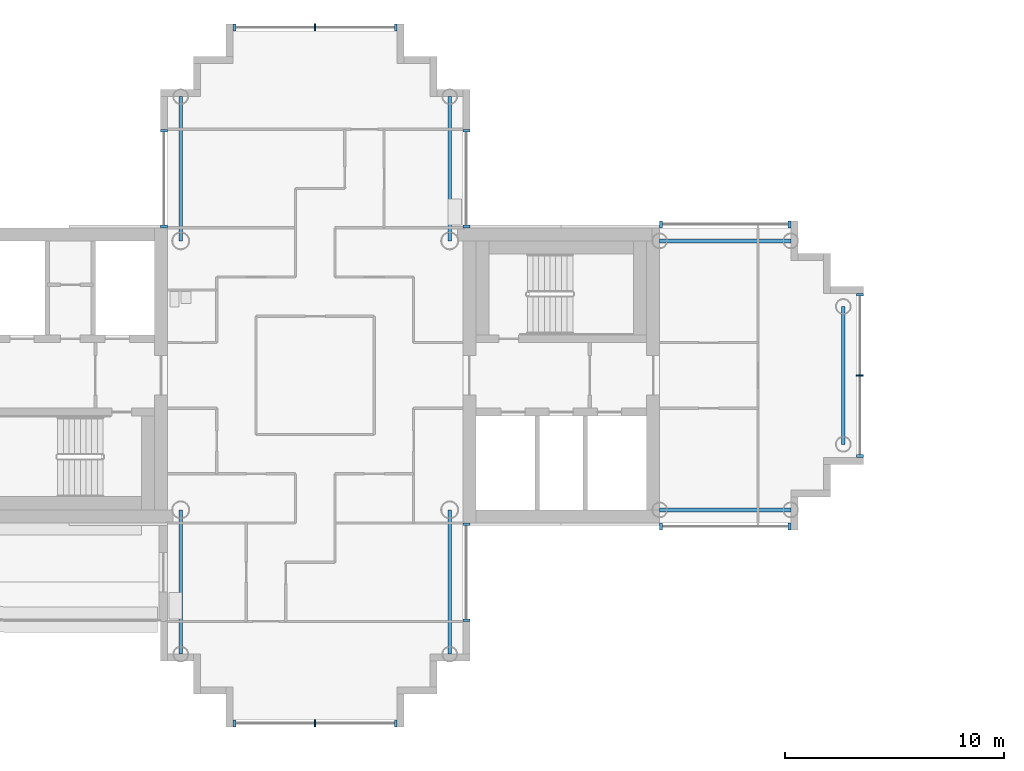
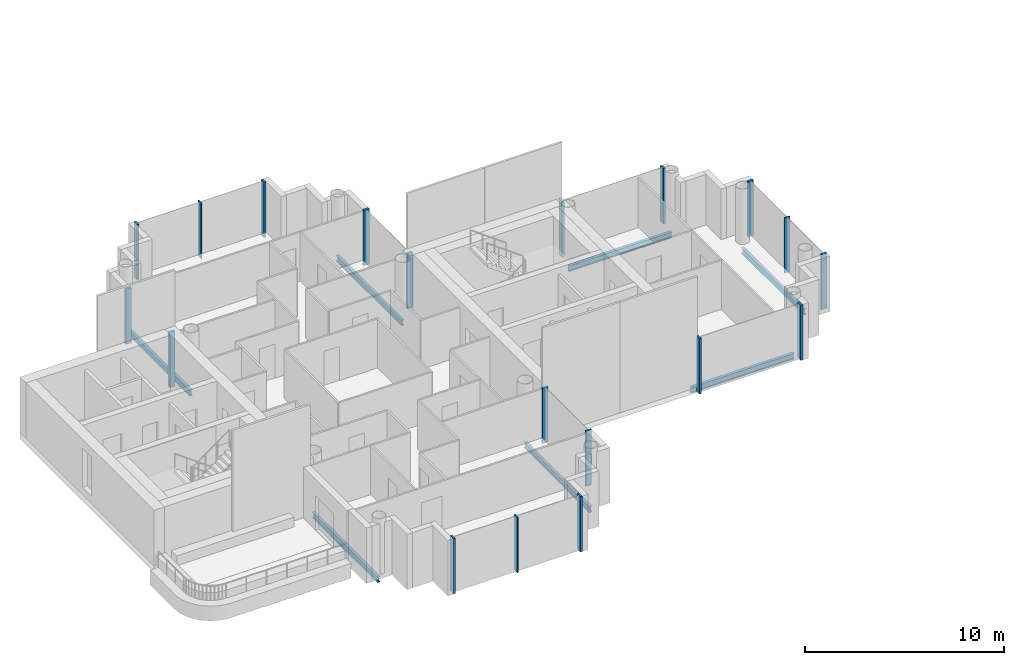
# One storey, part 3 of 18: 19 members, 7 beams, 8 elements without a shape of their own.
"""IFC4 building model written with IfcOpenShell, lengths in metres."""

from ifc_helpers import new_model, si_unit, direction, frame, origin, origin_2d, place, context, subcontext, project, spatial, rectangle, i_section, extrude, material, layer, layer_set, material_profile, profile_set, type_object, element, aggregate, save


model = new_model("IFC4")

# Units and contexts
model_context = context("Model", 3, precision=1e-05, world=origin(), true_north=direction((0.0, 1.0)))
body_context = subcontext(model_context, "Body", "Model", "MODEL_VIEW")
ifc_project = project(units=[si_unit("LENGTHUNIT", "METRE"), si_unit("AREAUNIT", "SQUARE_METRE"), si_unit("VOLUMEUNIT", "CUBIC_METRE"), si_unit("PLANEANGLEUNIT", "RADIAN"), si_unit("MASSUNIT", "GRAM", prefix="KILO")], contexts=[model_context])

# Site, building, storey
site_placement = place(None, origin())
site = spatial("IfcSite", under=ifc_project, at=site_placement, CompositionType="ELEMENT")
building_placement = place(site_placement, origin())
building = spatial("IfcBuilding", under=site, at=building_placement, Name="Ipe Terrace Towers", CompositionType="ELEMENT")
storey_placement = place(building_placement, frame((0.0, 0.0, 219.800048828125)))
storey = spatial("IfcBuildingStorey", under=building, at=storey_placement, Name="L61", CompositionType="ELEMENT", Elevation=219.800048828125)

# Beams
ifc_material_1 = material(Name="Steel S355", Category="steel")
ifc_material_profile_1 = material_profile(ifc_material_1, i_section(OverallWidth=0.175048828125, OverallDepth=0.35009765625, WebThickness=0.007080078125, FlangeThickness=0.010986328125, at=origin_2d()), Name="H-350x175x7x11")
ifc_profile_set_1 = profile_set([ifc_material_profile_1], Name="Steel S355")
beam_type = type_object("IfcBeamType", Name="H04 EDGE BEAM H-350x175x7x11", PredefinedType="BEAM", material=ifc_profile_set_1)
for number, where, z_axis, x_axis, name in (
    (1, (-20.25, -6.14990234375, -0.574951171875), (1.0, 0.0, 0.0), (0.0, 1.0, 0.0), "Edge beam T1-EB-A01-A03"),
    (2, (-20.25, 6.14990234375, -0.574951171875), (1.0, 0.0, 0.0), (0.0, 1.0, 0.0), "Edge beam T1-EB-A02-A04"),
):
    element("IfcBeam", number, at=place(storey_placement, frame(where, z_axis=z_axis, x_axis=x_axis)), inside=storey, type_object=beam_type, Name=name, PredefinedType="BEAM", context=body_context, shape_type="SweptSolid", body=[
        extrude(i_section(OverallWidth=0.175048828125, OverallDepth=0.35009765625, WebThickness=0.007080078125, FlangeThickness=0.010986328125, at=origin_2d()), origin(), (0.0, 0.0, 1.0), 6.0),
    ])
beam_placement = place(storey_placement, frame((-11.85009765625, -3.14990234375, -0.574951171875), z_axis=(0.0, 1.0, 0.0), x_axis=(-1.0, 0.0, 0.0)))
element("IfcBeam", 3, at=beam_placement, inside=storey, type_object=beam_type, Name="Edge beam T1-EB-A05-A06", PredefinedType="BEAM", context=body_context, shape_type="SweptSolid", body=[
    extrude(i_section(OverallWidth=0.175048828125, OverallDepth=0.35009765625, WebThickness=0.007080078125, FlangeThickness=0.010986328125, at=origin_2d()), origin(), (0.0, 0.0, 1.0), 6.2998046875),
])
for number, where, z_axis, x_axis, name in (
    (4, (-29.85009765625, 12.75, -0.574951171875), (0.0, -1.0, 0.0), (1.0, 0.0, 0.0), "Edge beam T1-EB-B01-E03"),
    (5, (-42.14990234375, 12.75, -0.574951171875), (0.0, -1.0, 0.0), (1.0, 0.0, 0.0), "Edge beam T1-EB-B02-E04"),
    (6, (-42.14990234375, -12.75, -0.574951171875), (0.0, 1.0, 0.0), (-1.0, 0.0, 0.0), "Edge beam T1-EB-D01-E01"),
    (7, (-29.85009765625, -12.75, -0.574951171875), (0.0, 1.0, 0.0), (-1.0, 0.0, 0.0), "Edge beam T1-EB-D02-E02"),
):
    element("IfcBeam", number, at=place(storey_placement, frame(where, z_axis=z_axis, x_axis=x_axis)), inside=storey, type_object=beam_type, Name=name, PredefinedType="BEAM", context=body_context, shape_type="SweptSolid", body=[
        extrude(i_section(OverallWidth=0.175048828125, OverallDepth=0.35009765625, WebThickness=0.007080078125, FlangeThickness=0.010986328125, at=origin_2d()), origin(), (0.0, 0.0, 1.0), 6.60009765625),
    ])

# Curtain wall, members
ifc_material_2 = material(Name="Aluminium alloy 6063-T6", Category="aluminium")
ifc_layer = layer(ifc_material_2, 0.320068359375)
ifc_layer_set = layer_set([ifc_layer], Name="TOWER UNITISED CURTAIN WALL")
curtain_wall_type = type_object("IfcCurtainWallType", Name="TOWER UNITISED CURTAIN WALL", PredefinedType="NOTDEFINED", material=ifc_layer_set)
curtain_wall_1_placement = place(storey_placement, origin())
curtain_wall_1 = element("IfcCurtainWall", 8, at=curtain_wall_1_placement, inside=storey, type_object=curtain_wall_type, Name="T1-CW-L61-08a curtain wall", PredefinedType="NOTDEFINED")
ifc_material_3 = material(Name="Aluminium alloy 6063-T6", Category="aluminium")
ifc_material_profile_2 = material_profile(ifc_material_3, rectangle(XDim=0.320068359375, YDim=0.1201171875, at=origin_2d()), Name="TOWER UNITISED CORNER MULLION 320 x 120")
ifc_profile_set_2 = profile_set([ifc_material_profile_2], Name="Aluminium alloy 6063-T6")
member_type_1 = type_object("IfcMemberType", Name="TOWER UNITISED CORNER MULLION 320 x 120", PredefinedType="MULLION", material=ifc_profile_set_2)
member_1_placement = place(storey_placement, frame((-39.68994140625, -15.909912109375, -0.300048828125), z_axis=(0.0, 0.0, 1.0), x_axis=(0.0, -1.0, 0.0)))
member_1 = element("IfcMember", 9, at=member_1_placement, type_object=member_type_1, Name="T1-CW-L61-08a mullion 1", PredefinedType="MULLION", context=body_context, shape_type="SweptSolid", body=[
    extrude(rectangle(XDim=0.320068359375, YDim=0.1201171875, at=origin_2d()), origin(), (0.0, 0.0, 1.0), 3.39990234375),
])
member_2_placement = place(storey_placement, frame((-32.31005859375, -15.909912109375, -0.300048828125), z_axis=(0.0, 0.0, 1.0), x_axis=(0.0, -1.0, 0.0)))
member_2 = element("IfcMember", 10, at=member_2_placement, type_object=member_type_1, Name="T1-CW-L61-08a mullion 3", PredefinedType="MULLION", context=body_context, shape_type="SweptSolid", body=[
    extrude(rectangle(XDim=0.320068359375, YDim=0.1201171875, at=origin_2d()), origin(), (0.0, 0.0, 1.0), 3.39990234375),
])

curtain_wall_2_placement = place(storey_placement, origin())
curtain_wall_2 = element("IfcCurtainWall", 11, at=curtain_wall_2_placement, inside=storey, type_object=curtain_wall_type, Name="T1-CW-L61-14a curtain wall", PredefinedType="NOTDEFINED")
member_3_placement = place(storey_placement, frame((-29.090087890625, -11.18994140625, -0.300048828125), z_axis=(0.0, 0.0, 1.0), x_axis=(1.0, 0.0, 0.0)))
member_3 = element("IfcMember", 12, at=member_3_placement, type_object=member_type_1, Name="T1-CW-L61-14a mullion 1", PredefinedType="MULLION", context=body_context, shape_type="SweptSolid", body=[
    extrude(rectangle(XDim=0.320068359375, YDim=0.1201171875, at=origin_2d()), origin(), (0.0, 0.0, 1.0), 3.39990234375),
])
member_4_placement = place(storey_placement, frame((-29.090087890625, -6.81005859375, -0.300048828125), z_axis=(0.0, 0.0, 1.0), x_axis=(1.0, 0.0, 0.0)))
member_4 = element("IfcMember", 13, at=member_4_placement, type_object=member_type_1, Name="T1-CW-L61-14a mullion 2", PredefinedType="MULLION", context=body_context, shape_type="SweptSolid", body=[
    extrude(rectangle(XDim=0.320068359375, YDim=0.1201171875, at=origin_2d()), origin(), (0.0, 0.0, 1.0), 3.39990234375),
])
aggregate(curtain_wall_2, [member_3, member_4])

curtain_wall_3_placement = place(storey_placement, origin())
curtain_wall_3 = element("IfcCurtainWall", 14, at=curtain_wall_3_placement, inside=storey, type_object=curtain_wall_type, Name="T1-CW-L61-16b curtain wall", PredefinedType="NOTDEFINED")
member_5_placement = place(storey_placement, frame((-20.18896484375, -6.909912109375, -0.300048828125), z_axis=(0.0, 0.0, 1.0), x_axis=(0.0, -1.0, 0.0)))
member_5 = element("IfcMember", 15, at=member_5_placement, type_object=member_type_1, Name="T1-CW-L61-16b mullion 1", PredefinedType="MULLION", context=body_context, shape_type="SweptSolid", body=[
    extrude(rectangle(XDim=0.320068359375, YDim=0.1201171875, at=origin_2d()), origin(), (0.0, 0.0, 1.0), 3.39990234375),
])
member_6_placement = place(storey_placement, frame((-14.31005859375, -6.909912109375, -0.300048828125), z_axis=(0.0, 0.0, 1.0), x_axis=(0.0, -1.0, 0.0)))
member_6 = element("IfcMember", 16, at=member_6_placement, type_object=member_type_1, Name="T1-CW-L61-16b mullion 2", PredefinedType="MULLION", context=body_context, shape_type="SweptSolid", body=[
    extrude(rectangle(XDim=0.320068359375, YDim=0.1201171875, at=origin_2d()), origin(), (0.0, 0.0, 1.0), 3.39990234375),
])
aggregate(curtain_wall_3, [member_5, member_6])

curtain_wall_4_placement = place(storey_placement, origin())
curtain_wall_4 = element("IfcCurtainWall", 17, at=curtain_wall_4_placement, inside=storey, type_object=curtain_wall_type, Name="T1-CW-L61-21a curtain wall", PredefinedType="NOTDEFINED")
member_7_placement = place(storey_placement, frame((-11.090087890625, -3.68994140625, -0.300048828125), z_axis=(0.0, 0.0, 1.0), x_axis=(1.0, 0.0, 0.0)))
member_7 = element("IfcMember", 18, at=member_7_placement, type_object=member_type_1, Name="T1-CW-L61-21a mullion 1", PredefinedType="MULLION", context=body_context, shape_type="SweptSolid", body=[
    extrude(rectangle(XDim=0.320068359375, YDim=0.1201171875, at=origin_2d()), origin(), (0.0, 0.0, 1.0), 3.39990234375),
])
member_8_placement = place(storey_placement, frame((-11.090087890625, 3.68994140625, -0.300048828125), z_axis=(0.0, 0.0, 1.0), x_axis=(1.0, 0.0, 0.0)))
member_8 = element("IfcMember", 19, at=member_8_placement, type_object=member_type_1, Name="T1-CW-L61-21a mullion 3", PredefinedType="MULLION", context=body_context, shape_type="SweptSolid", body=[
    extrude(rectangle(XDim=0.320068359375, YDim=0.1201171875, at=origin_2d()), origin(), (0.0, 0.0, 1.0), 3.39990234375),
])

curtain_wall_5_placement = place(storey_placement, origin())
curtain_wall_5 = element("IfcCurtainWall", 20, at=curtain_wall_5_placement, inside=storey, type_object=curtain_wall_type, Name="T1-CW-L61-26a curtain wall", PredefinedType="NOTDEFINED")
member_9_placement = place(storey_placement, frame((-14.31005859375, 6.909912109375, -0.300048828125), z_axis=(0.0, 0.0, 1.0), x_axis=(0.0, 1.0, 0.0)))
member_9 = element("IfcMember", 21, at=member_9_placement, type_object=member_type_1, Name="T1-CW-L61-26a mullion 1", PredefinedType="MULLION", context=body_context, shape_type="SweptSolid", body=[
    extrude(rectangle(XDim=0.320068359375, YDim=0.1201171875, at=origin_2d()), origin(), (0.0, 0.0, 1.0), 3.39990234375),
])
member_10_placement = place(storey_placement, frame((-20.18896484375, 6.909912109375, -0.300048828125), z_axis=(0.0, 0.0, 1.0), x_axis=(0.0, 1.0, 0.0)))
member_10 = element("IfcMember", 22, at=member_10_placement, type_object=member_type_1, Name="T1-CW-L61-26a mullion 2", PredefinedType="MULLION", context=body_context, shape_type="SweptSolid", body=[
    extrude(rectangle(XDim=0.320068359375, YDim=0.1201171875, at=origin_2d()), origin(), (0.0, 0.0, 1.0), 3.39990234375),
])
aggregate(curtain_wall_5, [member_9, member_10])

curtain_wall_6_placement = place(storey_placement, origin())
curtain_wall_6 = element("IfcCurtainWall", 23, at=curtain_wall_6_placement, inside=storey, type_object=curtain_wall_type, Name="T1-CW-L61-28a curtain wall", PredefinedType="NOTDEFINED")
member_11_placement = place(storey_placement, frame((-29.090087890625, 6.81005859375, -0.300048828125), z_axis=(0.0, 0.0, 1.0), x_axis=(1.0, 0.0, 0.0)))
member_11 = element("IfcMember", 24, at=member_11_placement, type_object=member_type_1, Name="T1-CW-L61-28a mullion 1", PredefinedType="MULLION", context=body_context, shape_type="SweptSolid", body=[
    extrude(rectangle(XDim=0.320068359375, YDim=0.1201171875, at=origin_2d()), origin(), (0.0, 0.0, 1.0), 3.39990234375),
])
member_12_placement = place(storey_placement, frame((-29.090087890625, 11.18994140625, -0.300048828125), z_axis=(0.0, 0.0, 1.0), x_axis=(1.0, 0.0, 0.0)))
member_12 = element("IfcMember", 25, at=member_12_placement, type_object=member_type_1, Name="T1-CW-L61-28a mullion 2", PredefinedType="MULLION", context=body_context, shape_type="SweptSolid", body=[
    extrude(rectangle(XDim=0.320068359375, YDim=0.1201171875, at=origin_2d()), origin(), (0.0, 0.0, 1.0), 3.39990234375),
])
aggregate(curtain_wall_6, [member_11, member_12])

curtain_wall_7_placement = place(storey_placement, origin())
curtain_wall_7 = element("IfcCurtainWall", 26, at=curtain_wall_7_placement, inside=storey, type_object=curtain_wall_type, Name="T1-CW-L61-34a curtain wall", PredefinedType="NOTDEFINED")
member_13_placement = place(storey_placement, frame((-32.31005859375, 15.909912109375, -0.300048828125), z_axis=(0.0, 0.0, 1.0), x_axis=(0.0, 1.0, 0.0)))
member_13 = element("IfcMember", 27, at=member_13_placement, type_object=member_type_1, Name="T1-CW-L61-34a mullion 1", PredefinedType="MULLION", context=body_context, shape_type="SweptSolid", body=[
    extrude(rectangle(XDim=0.320068359375, YDim=0.1201171875, at=origin_2d()), origin(), (0.0, 0.0, 1.0), 3.39990234375),
])
member_14_placement = place(storey_placement, frame((-39.68994140625, 15.909912109375, -0.300048828125), z_axis=(0.0, 0.0, 1.0), x_axis=(0.0, 1.0, 0.0)))
member_14 = element("IfcMember", 28, at=member_14_placement, type_object=member_type_1, Name="T1-CW-L61-34a mullion 3", PredefinedType="MULLION", context=body_context, shape_type="SweptSolid", body=[
    extrude(rectangle(XDim=0.320068359375, YDim=0.1201171875, at=origin_2d()), origin(), (0.0, 0.0, 1.0), 3.39990234375),
])

curtain_wall_8_placement = place(storey_placement, origin())
curtain_wall_8 = element("IfcCurtainWall", 29, at=curtain_wall_8_placement, inside=storey, type_object=curtain_wall_type, Name="T1-CW-L61-40a curtain wall", PredefinedType="NOTDEFINED")
member_15_placement = place(storey_placement, frame((-42.909912109375, 11.18994140625, -0.300048828125), z_axis=(0.0, 0.0, 1.0), x_axis=(-1.0, 0.0, 0.0)))
member_15 = element("IfcMember", 30, at=member_15_placement, type_object=member_type_1, Name="T1-CW-L61-40a mullion 1", PredefinedType="MULLION", context=body_context, shape_type="SweptSolid", body=[
    extrude(rectangle(XDim=0.320068359375, YDim=0.1201171875, at=origin_2d()), origin(), (0.0, 0.0, 1.0), 3.39990234375),
])
member_16_placement = place(storey_placement, frame((-42.909912109375, 6.81005859375, -0.300048828125), z_axis=(0.0, 0.0, 1.0), x_axis=(-1.0, 0.0, 0.0)))
member_16 = element("IfcMember", 31, at=member_16_placement, type_object=member_type_1, Name="T1-CW-L61-40a mullion 2", PredefinedType="MULLION", context=body_context, shape_type="SweptSolid", body=[
    extrude(rectangle(XDim=0.320068359375, YDim=0.1201171875, at=origin_2d()), origin(), (0.0, 0.0, 1.0), 3.39990234375),
])
aggregate(curtain_wall_8, [member_15, member_16])

# Member
ifc_material_4 = material(Name="Aluminium alloy 6063-T6", Category="aluminium")
ifc_material_profile_3 = material_profile(ifc_material_4, rectangle(XDim=0.320068359375, YDim=0.06494140625, at=origin_2d()), Name="TOWER UNITISED MULLION 320 x 65")
ifc_profile_set_3 = profile_set([ifc_material_profile_3], Name="Aluminium alloy 6063-T6")
member_type_2 = type_object("IfcMemberType", Name="TOWER UNITISED MULLION 320 x 65", PredefinedType="MULLION", material=ifc_profile_set_3)
member_17_placement = place(storey_placement, frame((-36.0, -15.909912109375, -0.300048828125), z_axis=(0.0, 0.0, 1.0), x_axis=(0.0, -1.0, 0.0)))
member_17 = element("IfcMember", 32, at=member_17_placement, type_object=member_type_2, Name="T1-CW-L61-08a mullion 2", PredefinedType="MULLION", context=body_context, shape_type="SweptSolid", body=[
    extrude(rectangle(XDim=0.320068359375, YDim=0.06494140625, at=origin_2d()), origin(), (0.0, 0.0, 1.0), 3.39990234375),
])

aggregate(curtain_wall_1, [member_1, member_17, member_2])

member_18_placement = place(storey_placement, frame((-11.090087890625, 0.0, -0.300048828125), z_axis=(0.0, 0.0, 1.0), x_axis=(1.0, 0.0, 0.0)))
member_18 = element("IfcMember", 33, at=member_18_placement, type_object=member_type_2, Name="T1-CW-L61-21a mullion 2", PredefinedType="MULLION", context=body_context, shape_type="SweptSolid", body=[
    extrude(rectangle(XDim=0.320068359375, YDim=0.06494140625, at=origin_2d()), origin(), (0.0, 0.0, 1.0), 3.39990234375),
])

aggregate(curtain_wall_4, [member_7, member_18, member_8])

member_19_placement = place(storey_placement, frame((-36.0, 15.909912109375, -0.300048828125), z_axis=(0.0, 0.0, 1.0), x_axis=(0.0, 1.0, 0.0)))
member_19 = element("IfcMember", 34, at=member_19_placement, type_object=member_type_2, Name="T1-CW-L61-34a mullion 2", PredefinedType="MULLION", context=body_context, shape_type="SweptSolid", body=[
    extrude(rectangle(XDim=0.320068359375, YDim=0.06494140625, at=origin_2d()), origin(), (0.0, 0.0, 1.0), 3.39990234375),
])

aggregate(curtain_wall_7, [member_13, member_19, member_14])

save(model, "model.ifc")
